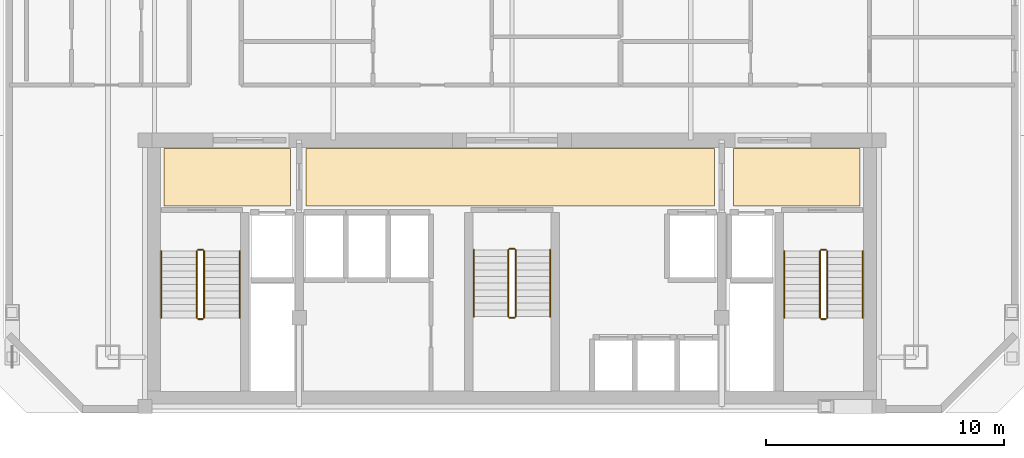
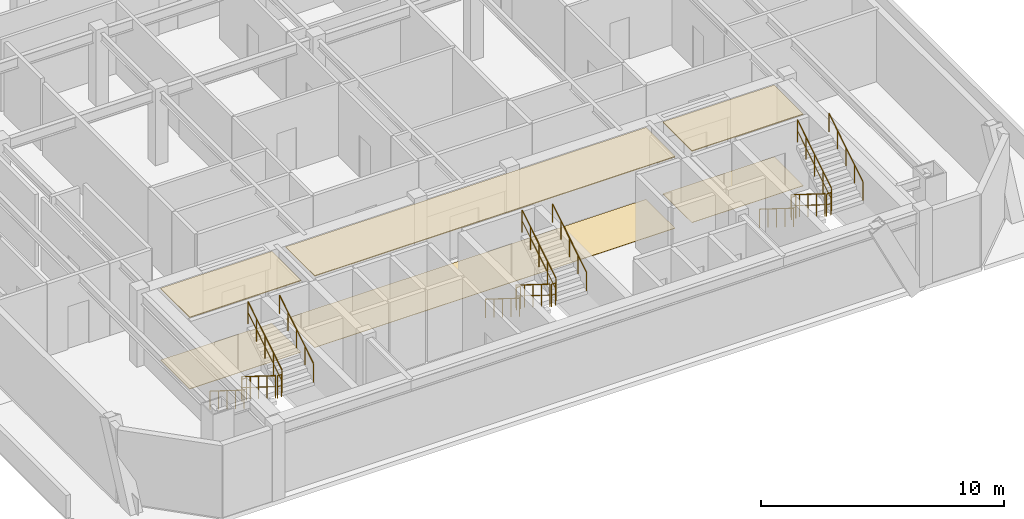
# One storey, part 7 of 7: 18 railings, 6 coverings.
"""IFC4 building model written with IfcOpenShell, lengths in metres."""

from ifc_helpers import new_model, si_unit, direction, frame, origin, origin_2d, place, context, subcontext, project, spatial, polyline, circle, outline, extrude, material, layer, layer_set, type_object, element, save


model = new_model("IFC4")

# Units and contexts
model_context = context("Model", 3, precision=1e-05, world=origin(), true_north=direction((0.0, 1.0)))
body_context = subcontext(model_context, "Body", "Model", "MODEL_VIEW")
ifc_project = project(units=[si_unit("LENGTHUNIT", "METRE"), si_unit("AREAUNIT", "SQUARE_METRE"), si_unit("VOLUMEUNIT", "CUBIC_METRE"), si_unit("PLANEANGLEUNIT", "RADIAN"), si_unit("MASSUNIT", "GRAM", prefix="KILO")], contexts=[model_context])

# Site, building, storey
site_placement = place(None, origin())
site = spatial("IfcSite", under=ifc_project, at=site_placement, CompositionType="ELEMENT")
building_placement = place(site_placement, origin())
building = spatial("IfcBuilding", under=site, at=building_placement, Name="Ventersveld Concourse Tower", CompositionType="ELEMENT")
storey_placement = place(building_placement, frame((0.0, 0.0, 219.550048828125)))
storey = spatial("IfcBuildingStorey", under=building, at=storey_placement, Name="L54", CompositionType="ELEMENT", Elevation=219.550048828125)

# Coverings
ifc_material_1 = material(Name="Mineral-fibre acoustic ceiling tile", Category="gypsum")
ifc_layer_1 = layer(ifc_material_1, 0.0400390625)
ifc_layer_set_1 = layer_set([ifc_layer_1], Name="Mineral-fibre acoustic ceiling tile")
covering_type_1 = type_object("IfcCoveringType", Name="COV-CEIL-ACOUSTIC", PredefinedType="CEILING", material=ifc_layer_set_1)
covering_1_placement = place(storey_placement, frame((0.0, 0.0, 3.58984375)))
element("IfcCovering", 1, at=covering_1_placement, inside=storey, type_object=covering_type_1, Name="L54 North Lift Lobby Acoustic Ceiling", PredefinedType="CEILING", context=body_context, shape_type="SweptSolid", body=[
    extrude(outline(polyline([(20.10009765625, 8.699951171875), (37.25, 8.699951171875), (37.25, 11.10009765625), (20.10009765625, 11.10009765625), (20.10009765625, 8.699951171875)])), origin(), (0.0, 0.0, 1.0), 0.0400390625),
])
covering_2_placement = place(storey_placement, frame((0.0, 0.0, 3.58984375)))
element("IfcCovering", 2, at=covering_2_placement, inside=storey, type_object=covering_type_1, Name="L54 West Firefighting Lobby Acoustic Ceiling", PredefinedType="CEILING", context=body_context, shape_type="SweptSolid", body=[
    extrude(outline(polyline([(14.14990234375, 8.699951171875), (19.449951171875, 8.699951171875), (19.449951171875, 11.10009765625), (14.14990234375, 11.10009765625), (14.14990234375, 8.699951171875)])), origin(), (0.0, 0.0, 1.0), 0.0400390625),
])
covering_3_placement = place(storey_placement, frame((0.0, 0.0, 3.58984375)))
element("IfcCovering", 3, at=covering_3_placement, inside=storey, type_object=covering_type_1, Name="L54 East Firefighting Lobby Acoustic Ceiling", PredefinedType="CEILING", context=body_context, shape_type="SweptSolid", body=[
    extrude(outline(polyline([(38.050048828125, 8.699951171875), (43.35009765625, 8.699951171875), (43.35009765625, 11.10009765625), (38.050048828125, 11.10009765625), (38.050048828125, 8.699951171875)])), origin(), (0.0, 0.0, 1.0), 0.0400390625),
])
ifc_material_2 = material(Name="Polished Highveld granite terrazzo", Category="masonry")
ifc_layer_2 = layer(ifc_material_2, 0.02001953125)
ifc_layer_set_2 = layer_set([ifc_layer_2], Name="Polished Highveld granite terrazzo")
covering_type_2 = type_object("IfcCoveringType", Name="COV-FLOOR-TERRAZZO", PredefinedType="FLOORING", material=ifc_layer_set_2)
covering_4_placement = place(storey_placement, origin())
element("IfcCovering", 4, at=covering_4_placement, inside=storey, type_object=covering_type_2, Name="L54 North Lift Lobby Terrazzo Flooring", PredefinedType="FLOORING", context=body_context, shape_type="SweptSolid", body=[
    extrude(outline(polyline([(20.10009765625, 8.699951171875), (37.25, 8.699951171875), (37.25, 11.10009765625), (20.10009765625, 11.10009765625), (20.10009765625, 8.699951171875)])), origin(), (0.0, 0.0, 1.0), 0.02001953125),
])
covering_5_placement = place(storey_placement, origin())
element("IfcCovering", 5, at=covering_5_placement, inside=storey, type_object=covering_type_2, Name="L54 West Firefighting Lobby Terrazzo Flooring", PredefinedType="FLOORING", context=body_context, shape_type="SweptSolid", body=[
    extrude(outline(polyline([(14.14990234375, 8.699951171875), (19.449951171875, 8.699951171875), (19.449951171875, 11.10009765625), (14.14990234375, 11.10009765625), (14.14990234375, 8.699951171875)])), origin(), (0.0, 0.0, 1.0), 0.02001953125),
])
covering_6_placement = place(storey_placement, origin())
element("IfcCovering", 6, at=covering_6_placement, inside=storey, type_object=covering_type_2, Name="L54 East Firefighting Lobby Terrazzo Flooring", PredefinedType="FLOORING", context=body_context, shape_type="SweptSolid", body=[
    extrude(outline(polyline([(38.050048828125, 8.699951171875), (43.35009765625, 8.699951171875), (43.35009765625, 11.10009765625), (38.050048828125, 11.10009765625), (38.050048828125, 8.699951171875)])), origin(), (0.0, 0.0, 1.0), 0.02001953125),
])

# Railings
ifc_material_3 = material(Name="Brushed stainless steel 316", Category="steel")
railing_type_1 = type_object("IfcRailingType", Name="GD-BAL-115", PredefinedType="GUARDRAIL", material=ifc_material_3)
railing_1_placement = place(storey_placement, frame((15.530029296875, 6.800048828125, 0.175048828125)))
element("IfcRailing", 7, at=railing_1_placement, inside=storey, type_object=railing_type_1, Name="L54 ST-01 stair guard 1", PredefinedType="GUARDRAIL", context=body_context, shape_type="SweptSolid", body=[
    extrude(circle(Radius=0.02392578125, at=origin_2d()), frame((0.0, 0.0, 1.1259765625), z_axis=(0.0, -0.848002457836, 0.529992293815), x_axis=(1.0, 0.0, 0.0)), (0.0, 0.0, 1.0), 3.302001953125),
    extrude(circle(Radius=0.01611328125, at=origin_2d()), frame((0.0, 0.0, 0.574951171875), z_axis=(0.0, -0.848002457836, 0.529992293815), x_axis=(1.0, 0.0, 0.0)), (0.0, 0.0, 1.0), 3.302001953125),
    extrude(circle(Radius=0.02099609375, at=origin_2d()), origin(), (0.0, 0.0, 1.0), 1.101806640625),
    extrude(circle(Radius=0.02099609375, at=origin_2d()), frame((0.0, -0.699951171875, 0.4375)), (0.0, 0.0, 1.0), 1.101806640625),
    extrude(circle(Radius=0.02099609375, at=origin_2d()), frame((0.0, -1.39990234375, 0.875)), (0.0, 0.0, 1.0), 1.101806640625),
    extrude(circle(Radius=0.02099609375, at=origin_2d()), frame((0.0, -2.10009765625, 1.3125)), (0.0, 0.0, 1.0), 1.101806640625),
    extrude(circle(Radius=0.02099609375, at=origin_2d()), frame((0.0, -2.800048828125, 1.75)), (0.0, 0.0, 1.0), 1.101806640625),
])
railing_2_placement = place(storey_placement, frame((15.580078125, 3.949951171875, 1.925048828125)))
element("IfcRailing", 8, at=railing_2_placement, inside=storey, type_object=railing_type_1, Name="L54 ST-01 stair guard 2", PredefinedType="GUARDRAIL", context=body_context, shape_type="SweptSolid", body=[
    extrude(circle(Radius=0.02392578125, at=origin_2d()), frame((0.0, 0.0, 1.1259765625), z_axis=(1.0, 0.0, 0.0), x_axis=(0.0, 1.0, 0.0)), (0.0, 0.0, 1.0), 0.199951171875),
    extrude(circle(Radius=0.01611328125, at=origin_2d()), frame((0.0, 0.0, 0.574951171875), z_axis=(1.0, 0.0, 0.0), x_axis=(0.0, 1.0, 0.0)), (0.0, 0.0, 1.0), 0.199951171875),
    extrude(circle(Radius=0.02099609375, at=origin_2d()), origin(), (0.0, 0.0, 1.0), 1.101806640625),
    extrude(circle(Radius=0.02099609375, at=origin_2d()), frame((0.199951171875, 0.0, 0.0)), (0.0, 0.0, 1.0), 1.101806640625),
])
railing_3_placement = place(storey_placement, frame((15.830078125, 4.0, 2.099853515625)))
element("IfcRailing", 9, at=railing_3_placement, inside=storey, type_object=railing_type_1, Name="L54 ST-01 stair guard 3", PredefinedType="GUARDRAIL", context=body_context, shape_type="SweptSolid", body=[
    extrude(circle(Radius=0.02392578125, at=origin_2d()), frame((0.0, 0.0, 1.1259765625), z_axis=(0.0, 0.848002457836, 0.529992293815), x_axis=(-1.0, 0.0, 0.0)), (0.0, 0.0, 1.0), 3.302001953125),
    extrude(circle(Radius=0.01611328125, at=origin_2d()), frame((0.0, 0.0, 0.574951171875), z_axis=(0.0, 0.848002457836, 0.529992293815), x_axis=(-1.0, 0.0, 0.0)), (0.0, 0.0, 1.0), 3.302001953125),
    extrude(circle(Radius=0.02099609375, at=origin_2d()), origin(), (0.0, 0.0, 1.0), 1.101806640625),
    extrude(circle(Radius=0.02099609375, at=origin_2d()), frame((0.0, 0.699951171875, 0.4375)), (0.0, 0.0, 1.0), 1.101806640625),
    extrude(circle(Radius=0.02099609375, at=origin_2d()), frame((0.0, 1.39990234375, 0.875)), (0.0, 0.0, 1.0), 1.101806640625),
    extrude(circle(Radius=0.02099609375, at=origin_2d()), frame((0.0, 2.10009765625, 1.3125)), (0.0, 0.0, 1.0), 1.101806640625),
    extrude(circle(Radius=0.02099609375, at=origin_2d()), frame((0.0, 2.800048828125, 1.75)), (0.0, 0.0, 1.0), 1.101806640625),
])
railing_4_placement = place(storey_placement, frame((15.580078125, 6.85009765625, 0.0)))
element("IfcRailing", 10, at=railing_4_placement, inside=storey, type_object=railing_type_1, Name="L54 ST-01 stair guard 4", PredefinedType="GUARDRAIL", context=body_context, shape_type="SweptSolid", body=[
    extrude(circle(Radius=0.02392578125, at=origin_2d()), frame((0.0, 0.0, 1.1259765625), z_axis=(1.0, 0.0, 0.0), x_axis=(0.0, 1.0, 0.0)), (0.0, 0.0, 1.0), 0.199951171875),
    extrude(circle(Radius=0.01611328125, at=origin_2d()), frame((0.0, 0.0, 0.574951171875), z_axis=(1.0, 0.0, 0.0), x_axis=(0.0, 1.0, 0.0)), (0.0, 0.0, 1.0), 0.199951171875),
    extrude(circle(Radius=0.02099609375, at=origin_2d()), origin(), (0.0, 0.0, 1.0), 1.101806640625),
    extrude(circle(Radius=0.02099609375, at=origin_2d()), frame((0.199951171875, 0.0, 0.0)), (0.0, 0.0, 1.0), 1.101806640625),
])
railing_5_placement = place(storey_placement, frame((41.669921875, 6.800048828125, 0.175048828125)))
element("IfcRailing", 11, at=railing_5_placement, inside=storey, type_object=railing_type_1, Name="L54 ST-02 stair guard 1", PredefinedType="GUARDRAIL", context=body_context, shape_type="SweptSolid", body=[
    extrude(circle(Radius=0.02392578125, at=origin_2d()), frame((0.0, 0.0, 1.1259765625), z_axis=(0.0, -0.848002457836, 0.529992293815), x_axis=(1.0, 0.0, 0.0)), (0.0, 0.0, 1.0), 3.302001953125),
    extrude(circle(Radius=0.01611328125, at=origin_2d()), frame((0.0, 0.0, 0.574951171875), z_axis=(0.0, -0.848002457836, 0.529992293815), x_axis=(1.0, 0.0, 0.0)), (0.0, 0.0, 1.0), 3.302001953125),
    extrude(circle(Radius=0.02099609375, at=origin_2d()), origin(), (0.0, 0.0, 1.0), 1.101806640625),
    extrude(circle(Radius=0.02099609375, at=origin_2d()), frame((0.0, -0.699951171875, 0.4375)), (0.0, 0.0, 1.0), 1.101806640625),
    extrude(circle(Radius=0.02099609375, at=origin_2d()), frame((0.0, -1.39990234375, 0.875)), (0.0, 0.0, 1.0), 1.101806640625),
    extrude(circle(Radius=0.02099609375, at=origin_2d()), frame((0.0, -2.10009765625, 1.3125)), (0.0, 0.0, 1.0), 1.101806640625),
    extrude(circle(Radius=0.02099609375, at=origin_2d()), frame((0.0, -2.800048828125, 1.75)), (0.0, 0.0, 1.0), 1.101806640625),
])
railing_6_placement = place(storey_placement, frame((41.719970703125, 3.949951171875, 1.925048828125)))
element("IfcRailing", 12, at=railing_6_placement, inside=storey, type_object=railing_type_1, Name="L54 ST-02 stair guard 2", PredefinedType="GUARDRAIL", context=body_context, shape_type="SweptSolid", body=[
    extrude(circle(Radius=0.02392578125, at=origin_2d()), frame((0.0, 0.0, 1.1259765625), z_axis=(1.0, 0.0, 0.0), x_axis=(0.0, 1.0, 0.0)), (0.0, 0.0, 1.0), 0.199951171875),
    extrude(circle(Radius=0.01611328125, at=origin_2d()), frame((0.0, 0.0, 0.574951171875), z_axis=(1.0, 0.0, 0.0), x_axis=(0.0, 1.0, 0.0)), (0.0, 0.0, 1.0), 0.199951171875),
    extrude(circle(Radius=0.02099609375, at=origin_2d()), origin(), (0.0, 0.0, 1.0), 1.101806640625),
    extrude(circle(Radius=0.02099609375, at=origin_2d()), frame((0.199951171875, 0.0, 0.0)), (0.0, 0.0, 1.0), 1.101806640625),
])
railing_7_placement = place(storey_placement, frame((41.969970703125, 4.0, 2.099853515625)))
element("IfcRailing", 13, at=railing_7_placement, inside=storey, type_object=railing_type_1, Name="L54 ST-02 stair guard 3", PredefinedType="GUARDRAIL", context=body_context, shape_type="SweptSolid", body=[
    extrude(circle(Radius=0.02392578125, at=origin_2d()), frame((0.0, 0.0, 1.1259765625), z_axis=(0.0, 0.848002457836, 0.529992293815), x_axis=(-1.0, 0.0, 0.0)), (0.0, 0.0, 1.0), 3.302001953125),
    extrude(circle(Radius=0.01611328125, at=origin_2d()), frame((0.0, 0.0, 0.574951171875), z_axis=(0.0, 0.848002457836, 0.529992293815), x_axis=(-1.0, 0.0, 0.0)), (0.0, 0.0, 1.0), 3.302001953125),
    extrude(circle(Radius=0.02099609375, at=origin_2d()), origin(), (0.0, 0.0, 1.0), 1.101806640625),
    extrude(circle(Radius=0.02099609375, at=origin_2d()), frame((0.0, 0.699951171875, 0.4375)), (0.0, 0.0, 1.0), 1.101806640625),
    extrude(circle(Radius=0.02099609375, at=origin_2d()), frame((0.0, 1.39990234375, 0.875)), (0.0, 0.0, 1.0), 1.101806640625),
    extrude(circle(Radius=0.02099609375, at=origin_2d()), frame((0.0, 2.10009765625, 1.3125)), (0.0, 0.0, 1.0), 1.101806640625),
    extrude(circle(Radius=0.02099609375, at=origin_2d()), frame((0.0, 2.800048828125, 1.75)), (0.0, 0.0, 1.0), 1.101806640625),
])
railing_8_placement = place(storey_placement, frame((41.719970703125, 6.85009765625, 0.0)))
element("IfcRailing", 14, at=railing_8_placement, inside=storey, type_object=railing_type_1, Name="L54 ST-02 stair guard 4", PredefinedType="GUARDRAIL", context=body_context, shape_type="SweptSolid", body=[
    extrude(circle(Radius=0.02392578125, at=origin_2d()), frame((0.0, 0.0, 1.1259765625), z_axis=(1.0, 0.0, 0.0), x_axis=(0.0, 1.0, 0.0)), (0.0, 0.0, 1.0), 0.199951171875),
    extrude(circle(Radius=0.01611328125, at=origin_2d()), frame((0.0, 0.0, 0.574951171875), z_axis=(1.0, 0.0, 0.0), x_axis=(0.0, 1.0, 0.0)), (0.0, 0.0, 1.0), 0.199951171875),
    extrude(circle(Radius=0.02099609375, at=origin_2d()), origin(), (0.0, 0.0, 1.0), 1.101806640625),
    extrude(circle(Radius=0.02099609375, at=origin_2d()), frame((0.199951171875, 0.0, 0.0)), (0.0, 0.0, 1.0), 1.101806640625),
])
railing_9_placement = place(storey_placement, frame((28.60009765625, 6.85009765625, 0.175048828125)))
element("IfcRailing", 15, at=railing_9_placement, inside=storey, type_object=railing_type_1, Name="L54 ST-03 stair guard 1", PredefinedType="GUARDRAIL", context=body_context, shape_type="SweptSolid", body=[
    extrude(circle(Radius=0.02392578125, at=origin_2d()), frame((0.0, 0.0, 1.1259765625), z_axis=(0.0, -0.848002457836, 0.529992293815), x_axis=(1.0, 0.0, 0.0)), (0.0, 0.0, 1.0), 3.302001953125),
    extrude(circle(Radius=0.01611328125, at=origin_2d()), frame((0.0, 0.0, 0.574951171875), z_axis=(0.0, -0.848002457836, 0.529992293815), x_axis=(1.0, 0.0, 0.0)), (0.0, 0.0, 1.0), 3.302001953125),
    extrude(circle(Radius=0.02099609375, at=origin_2d()), origin(), (0.0, 0.0, 1.0), 1.101806640625),
    extrude(circle(Radius=0.02099609375, at=origin_2d()), frame((0.0, -0.699951171875, 0.4375)), (0.0, 0.0, 1.0), 1.101806640625),
    extrude(circle(Radius=0.02099609375, at=origin_2d()), frame((0.0, -1.39990234375, 0.875)), (0.0, 0.0, 1.0), 1.101806640625),
    extrude(circle(Radius=0.02099609375, at=origin_2d()), frame((0.0, -2.10009765625, 1.3125)), (0.0, 0.0, 1.0), 1.101806640625),
    extrude(circle(Radius=0.02099609375, at=origin_2d()), frame((0.0, -2.800048828125, 1.75)), (0.0, 0.0, 1.0), 1.101806640625),
])
railing_10_placement = place(storey_placement, frame((28.64990234375, 4.0, 1.925048828125)))
element("IfcRailing", 16, at=railing_10_placement, inside=storey, type_object=railing_type_1, Name="L54 ST-03 stair guard 2", PredefinedType="GUARDRAIL", context=body_context, shape_type="SweptSolid", body=[
    extrude(circle(Radius=0.02392578125, at=origin_2d()), frame((0.0, 0.0, 1.1259765625), z_axis=(1.0, 0.0, 0.0), x_axis=(0.0, 1.0, 0.0)), (0.0, 0.0, 1.0), 0.2001953125),
    extrude(circle(Radius=0.01611328125, at=origin_2d()), frame((0.0, 0.0, 0.574951171875), z_axis=(1.0, 0.0, 0.0), x_axis=(0.0, 1.0, 0.0)), (0.0, 0.0, 1.0), 0.2001953125),
    extrude(circle(Radius=0.02099609375, at=origin_2d()), origin(), (0.0, 0.0, 1.0), 1.101806640625),
    extrude(circle(Radius=0.02099609375, at=origin_2d()), frame((0.2001953125, 0.0, 0.0)), (0.0, 0.0, 1.0), 1.101806640625),
])
railing_11_placement = place(storey_placement, frame((28.89990234375, 4.050048828125, 2.099853515625)))
element("IfcRailing", 17, at=railing_11_placement, inside=storey, type_object=railing_type_1, Name="L54 ST-03 stair guard 3", PredefinedType="GUARDRAIL", context=body_context, shape_type="SweptSolid", body=[
    extrude(circle(Radius=0.02392578125, at=origin_2d()), frame((0.0, 0.0, 1.1259765625), z_axis=(0.0, 0.848002457836, 0.529992293815), x_axis=(-1.0, 0.0, 0.0)), (0.0, 0.0, 1.0), 3.302001953125),
    extrude(circle(Radius=0.01611328125, at=origin_2d()), frame((0.0, 0.0, 0.574951171875), z_axis=(0.0, 0.848002457836, 0.529992293815), x_axis=(-1.0, 0.0, 0.0)), (0.0, 0.0, 1.0), 3.302001953125),
    extrude(circle(Radius=0.02099609375, at=origin_2d()), origin(), (0.0, 0.0, 1.0), 1.101806640625),
    extrude(circle(Radius=0.02099609375, at=origin_2d()), frame((0.0, 0.699951171875, 0.4375)), (0.0, 0.0, 1.0), 1.101806640625),
    extrude(circle(Radius=0.02099609375, at=origin_2d()), frame((0.0, 1.39990234375, 0.875)), (0.0, 0.0, 1.0), 1.101806640625),
    extrude(circle(Radius=0.02099609375, at=origin_2d()), frame((0.0, 2.10009765625, 1.3125)), (0.0, 0.0, 1.0), 1.101806640625),
    extrude(circle(Radius=0.02099609375, at=origin_2d()), frame((0.0, 2.800048828125, 1.75)), (0.0, 0.0, 1.0), 1.101806640625),
])
railing_12_placement = place(storey_placement, frame((28.64990234375, 6.89990234375, 0.0)))
element("IfcRailing", 18, at=railing_12_placement, inside=storey, type_object=railing_type_1, Name="L54 ST-03 stair guard 4", PredefinedType="GUARDRAIL", context=body_context, shape_type="SweptSolid", body=[
    extrude(circle(Radius=0.02392578125, at=origin_2d()), frame((0.0, 0.0, 1.1259765625), z_axis=(1.0, 0.0, 0.0), x_axis=(0.0, 1.0, 0.0)), (0.0, 0.0, 1.0), 0.2001953125),
    extrude(circle(Radius=0.01611328125, at=origin_2d()), frame((0.0, 0.0, 0.574951171875), z_axis=(1.0, 0.0, 0.0), x_axis=(0.0, 1.0, 0.0)), (0.0, 0.0, 1.0), 0.2001953125),
    extrude(circle(Radius=0.02099609375, at=origin_2d()), origin(), (0.0, 0.0, 1.0), 1.101806640625),
    extrude(circle(Radius=0.02099609375, at=origin_2d()), frame((0.2001953125, 0.0, 0.0)), (0.0, 0.0, 1.0), 1.101806640625),
])
railing_type_2 = type_object("IfcRailingType", Name="HR-RMP-095", PredefinedType="HANDRAIL", material=ifc_material_3)
railing_13_placement = place(storey_placement, frame((14.030029296875, 6.800048828125, 0.175048828125)))
element("IfcRailing", 19, at=railing_13_placement, inside=storey, type_object=railing_type_2, Name="L54 ST-01 stair handrail 1", PredefinedType="HANDRAIL", context=body_context, shape_type="SweptSolid", body=[
    extrude(circle(Radius=0.02392578125, at=origin_2d()), frame((0.0, 0.0, 0.92578125), z_axis=(0.0, -0.848002457836, 0.529992293815), x_axis=(1.0, 0.0, 0.0)), (0.0, 0.0, 1.0), 3.302001953125),
    extrude(circle(Radius=0.02099609375, at=origin_2d()), origin(), (0.0, 0.0, 1.0), 0.90185546875),
    extrude(circle(Radius=0.02099609375, at=origin_2d()), frame((0.0, -0.699951171875, 0.4375)), (0.0, 0.0, 1.0), 0.90185546875),
    extrude(circle(Radius=0.02099609375, at=origin_2d()), frame((0.0, -1.39990234375, 0.875)), (0.0, 0.0, 1.0), 0.90185546875),
    extrude(circle(Radius=0.02099609375, at=origin_2d()), frame((0.0, -2.10009765625, 1.3125)), (0.0, 0.0, 1.0), 0.90185546875),
    extrude(circle(Radius=0.02099609375, at=origin_2d()), frame((0.0, -2.800048828125, 1.75)), (0.0, 0.0, 1.0), 0.90185546875),
])
railing_14_placement = place(storey_placement, frame((17.330078125, 4.0, 2.099853515625)))
element("IfcRailing", 20, at=railing_14_placement, inside=storey, type_object=railing_type_2, Name="L54 ST-01 stair handrail 2", PredefinedType="HANDRAIL", context=body_context, shape_type="SweptSolid", body=[
    extrude(circle(Radius=0.02392578125, at=origin_2d()), frame((0.0, 0.0, 0.92578125), z_axis=(0.0, 0.848002457836, 0.529992293815), x_axis=(-1.0, 0.0, 0.0)), (0.0, 0.0, 1.0), 3.302001953125),
    extrude(circle(Radius=0.02099609375, at=origin_2d()), origin(), (0.0, 0.0, 1.0), 0.90185546875),
    extrude(circle(Radius=0.02099609375, at=origin_2d()), frame((0.0, 0.699951171875, 0.4375)), (0.0, 0.0, 1.0), 0.90185546875),
    extrude(circle(Radius=0.02099609375, at=origin_2d()), frame((0.0, 1.39990234375, 0.875)), (0.0, 0.0, 1.0), 0.90185546875),
    extrude(circle(Radius=0.02099609375, at=origin_2d()), frame((0.0, 2.10009765625, 1.3125)), (0.0, 0.0, 1.0), 0.90185546875),
    extrude(circle(Radius=0.02099609375, at=origin_2d()), frame((0.0, 2.800048828125, 1.75)), (0.0, 0.0, 1.0), 0.90185546875),
])
railing_15_placement = place(storey_placement, frame((40.169921875, 6.800048828125, 0.175048828125)))
element("IfcRailing", 21, at=railing_15_placement, inside=storey, type_object=railing_type_2, Name="L54 ST-02 stair handrail 1", PredefinedType="HANDRAIL", context=body_context, shape_type="SweptSolid", body=[
    extrude(circle(Radius=0.02392578125, at=origin_2d()), frame((0.0, 0.0, 0.92578125), z_axis=(0.0, -0.848002457836, 0.529992293815), x_axis=(1.0, 0.0, 0.0)), (0.0, 0.0, 1.0), 3.302001953125),
    extrude(circle(Radius=0.02099609375, at=origin_2d()), origin(), (0.0, 0.0, 1.0), 0.90185546875),
    extrude(circle(Radius=0.02099609375, at=origin_2d()), frame((0.0, -0.699951171875, 0.4375)), (0.0, 0.0, 1.0), 0.90185546875),
    extrude(circle(Radius=0.02099609375, at=origin_2d()), frame((0.0, -1.39990234375, 0.875)), (0.0, 0.0, 1.0), 0.90185546875),
    extrude(circle(Radius=0.02099609375, at=origin_2d()), frame((0.0, -2.10009765625, 1.3125)), (0.0, 0.0, 1.0), 0.90185546875),
    extrude(circle(Radius=0.02099609375, at=origin_2d()), frame((0.0, -2.800048828125, 1.75)), (0.0, 0.0, 1.0), 0.90185546875),
])
railing_16_placement = place(storey_placement, frame((43.469970703125, 4.0, 2.099853515625)))
element("IfcRailing", 22, at=railing_16_placement, inside=storey, type_object=railing_type_2, Name="L54 ST-02 stair handrail 2", PredefinedType="HANDRAIL", context=body_context, shape_type="SweptSolid", body=[
    extrude(circle(Radius=0.02392578125, at=origin_2d()), frame((0.0, 0.0, 0.92578125), z_axis=(0.0, 0.848002457836, 0.529992293815), x_axis=(-1.0, 0.0, 0.0)), (0.0, 0.0, 1.0), 3.302001953125),
    extrude(circle(Radius=0.02099609375, at=origin_2d()), origin(), (0.0, 0.0, 1.0), 0.90185546875),
    extrude(circle(Radius=0.02099609375, at=origin_2d()), frame((0.0, 0.699951171875, 0.4375)), (0.0, 0.0, 1.0), 0.90185546875),
    extrude(circle(Radius=0.02099609375, at=origin_2d()), frame((0.0, 1.39990234375, 0.875)), (0.0, 0.0, 1.0), 0.90185546875),
    extrude(circle(Radius=0.02099609375, at=origin_2d()), frame((0.0, 2.10009765625, 1.3125)), (0.0, 0.0, 1.0), 0.90185546875),
    extrude(circle(Radius=0.02099609375, at=origin_2d()), frame((0.0, 2.800048828125, 1.75)), (0.0, 0.0, 1.0), 0.90185546875),
])
railing_17_placement = place(storey_placement, frame((27.14990234375, 6.85009765625, 0.175048828125)))
element("IfcRailing", 23, at=railing_17_placement, inside=storey, type_object=railing_type_2, Name="L54 ST-03 stair handrail 1", PredefinedType="HANDRAIL", context=body_context, shape_type="SweptSolid", body=[
    extrude(circle(Radius=0.02392578125, at=origin_2d()), frame((0.0, 0.0, 0.92578125), z_axis=(0.0, -0.848002457836, 0.529992293815), x_axis=(1.0, 0.0, 0.0)), (0.0, 0.0, 1.0), 3.302001953125),
    extrude(circle(Radius=0.02099609375, at=origin_2d()), origin(), (0.0, 0.0, 1.0), 0.90185546875),
    extrude(circle(Radius=0.02099609375, at=origin_2d()), frame((0.0, -0.699951171875, 0.4375)), (0.0, 0.0, 1.0), 0.90185546875),
    extrude(circle(Radius=0.02099609375, at=origin_2d()), frame((0.0, -1.39990234375, 0.875)), (0.0, 0.0, 1.0), 0.90185546875),
    extrude(circle(Radius=0.02099609375, at=origin_2d()), frame((0.0, -2.10009765625, 1.3125)), (0.0, 0.0, 1.0), 0.90185546875),
    extrude(circle(Radius=0.02099609375, at=origin_2d()), frame((0.0, -2.800048828125, 1.75)), (0.0, 0.0, 1.0), 0.90185546875),
])
railing_18_placement = place(storey_placement, frame((30.35009765625, 4.050048828125, 2.099853515625)))
element("IfcRailing", 24, at=railing_18_placement, inside=storey, type_object=railing_type_2, Name="L54 ST-03 stair handrail 2", PredefinedType="HANDRAIL", context=body_context, shape_type="SweptSolid", body=[
    extrude(circle(Radius=0.02392578125, at=origin_2d()), frame((0.0, 0.0, 0.92578125), z_axis=(0.0, 0.848002457836, 0.529992293815), x_axis=(-1.0, 0.0, 0.0)), (0.0, 0.0, 1.0), 3.302001953125),
    extrude(circle(Radius=0.02099609375, at=origin_2d()), origin(), (0.0, 0.0, 1.0), 0.90185546875),
    extrude(circle(Radius=0.02099609375, at=origin_2d()), frame((0.0, 0.699951171875, 0.4375)), (0.0, 0.0, 1.0), 0.90185546875),
    extrude(circle(Radius=0.02099609375, at=origin_2d()), frame((0.0, 1.39990234375, 0.875)), (0.0, 0.0, 1.0), 0.90185546875),
    extrude(circle(Radius=0.02099609375, at=origin_2d()), frame((0.0, 2.10009765625, 1.3125)), (0.0, 0.0, 1.0), 0.90185546875),
    extrude(circle(Radius=0.02099609375, at=origin_2d()), frame((0.0, 2.800048828125, 1.75)), (0.0, 0.0, 1.0), 0.90185546875),
])

save(model, "model.ifc")
